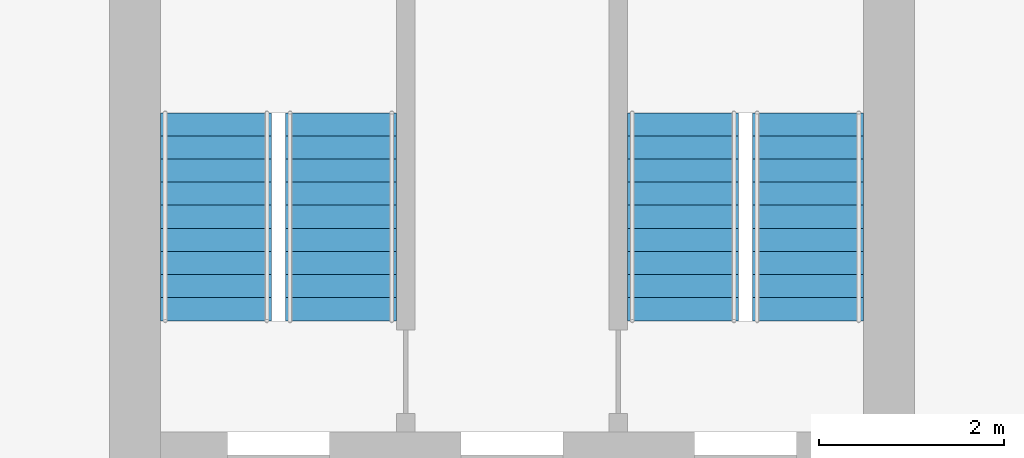
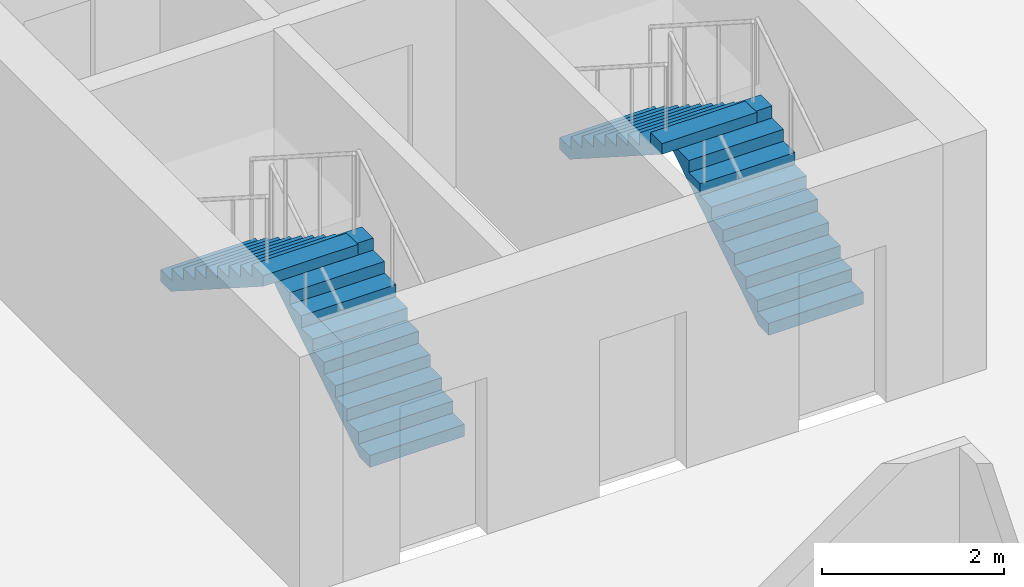
# One storey, part 10 of 13: 4 stair flights, 2 elements without a shape of their own.
"""IFC4 building model written with IfcOpenShell, lengths in metres."""

from ifc_helpers import new_model, si_unit, direction, frame, origin, place, context, subcontext, project, spatial, polyline, outline, extrude, material, type_object, element, aggregate, save


model = new_model("IFC4")

# Units and contexts
model_context = context("Model", 3, precision=1e-05, world=origin(), true_north=direction((0.0, 1.0)))
body_context = subcontext(model_context, "Body", "Model", "MODEL_VIEW")
ifc_project = project(units=[si_unit("LENGTHUNIT", "METRE"), si_unit("AREAUNIT", "SQUARE_METRE"), si_unit("VOLUMEUNIT", "CUBIC_METRE"), si_unit("PLANEANGLEUNIT", "RADIAN"), si_unit("MASSUNIT", "GRAM", prefix="KILO")], contexts=[model_context])

# Site, building, storey
site_placement = place(None, origin())
site = spatial("IfcSite", under=ifc_project, at=site_placement, CompositionType="ELEMENT")
building_placement = place(site_placement, origin())
building = spatial("IfcBuilding", under=site, at=building_placement, Name="Girih Gate Residences", CompositionType="ELEMENT")
storey_placement = place(building_placement, frame((0.0, 0.0, 105.60009765625)))
storey = spatial("IfcBuildingStorey", under=building, at=storey_placement, Name="L29", CompositionType="ELEMENT", Elevation=105.60009765625)

# Stair, stair flights
ifc_material = material(Name="Concrete C40/50", Category="concrete")
stair_type = type_object("IfcStairType", Name="Exit stair", PredefinedType="HALF_TURN_STAIR", material=ifc_material)
stair_1_placement = place(storey_placement, origin())
stair_1 = element("IfcStair", 1, at=stair_1_placement, inside=storey, type_object=stair_type, Name="L29 Exit Stair ST-E1", PredefinedType="HALF_TURN_STAIR")
stair_flight_type = type_object("IfcStairFlightType", Name="Stair flight 1200", PredefinedType="STRAIGHT", material=ifc_material)
stair_flight_1_placement = place(storey_placement, frame((43.699951171875, 28.89990234375, 0.0), z_axis=(0.0, 0.0, 1.0), x_axis=(0.0, 1.0, 0.0)))
stair_flight_1 = element("IfcStairFlight", 2, at=stair_flight_1_placement, type_object=stair_flight_type, Name="ST-E1 flight 1", NumberOfRisers=10, NumberOfTreads=9, PredefinedType="STRAIGHT", RiserHeight=0.16, TreadLength=0.25, context=body_context, shape_type="SweptSolid", body=[
    extrude(outline(polyline([(0.0, 0.0), (0.0, 0.159912109375), (0.25, 0.159912109375), (0.25, 0.320068359375), (0.5, 0.320068359375), (0.5, 0.47998046875), (0.75, 0.47998046875), (0.75, 0.639892578125), (1.0, 0.639892578125), (1.0, 0.800048828125), (1.25, 0.800048828125), (1.25, 0.9599609375), (1.5, 0.9599609375), (1.5, 1.1201171875), (1.75, 1.1201171875), (1.75, 1.280029296875), (2.0, 1.280029296875), (2.0, 1.43994140625), (2.25, 1.43994140625), (2.25, 1.60009765625), (2.25, 1.29736328125), (0.222900390625, 0.0), (0.0, 0.0)])), frame((0.0, 0.60009765625, 0.0), z_axis=(0.0, -1.0, 0.0), x_axis=(1.0, 0.0, 0.0)), (0.0, 0.0, 1.0), 1.199951171875),
])
stair_flight_2_placement = place(storey_placement, frame((42.35009765625, 31.14990234375, 1.599853515625), z_axis=(0.0, 0.0, 1.0), x_axis=(0.0, -1.0, 0.0)))
stair_flight_2 = element("IfcStairFlight", 3, at=stair_flight_2_placement, type_object=stair_flight_type, Name="ST-E1 flight 2", NumberOfRisers=10, NumberOfTreads=9, PredefinedType="STRAIGHT", RiserHeight=0.16, TreadLength=0.25, context=body_context, shape_type="SweptSolid", body=[
    extrude(outline(polyline([(0.0, 0.0), (0.0, 0.159912109375), (0.25, 0.159912109375), (0.25, 0.320068359375), (0.5, 0.320068359375), (0.5, 0.47998046875), (0.75, 0.47998046875), (0.75, 0.639892578125), (1.0, 0.639892578125), (1.0, 0.800048828125), (1.25, 0.800048828125), (1.25, 0.9599609375), (1.5, 0.9599609375), (1.5, 1.1201171875), (1.75, 1.1201171875), (1.75, 1.280029296875), (2.0, 1.280029296875), (2.0, 1.43994140625), (2.25, 1.43994140625), (2.25, 1.60009765625), (2.25, 1.29736328125), (0.222900390625, 0.0), (0.0, 0.0)])), frame((0.0, 0.60009765625, 0.0), z_axis=(0.0, -1.0, 0.0), x_axis=(1.0, 0.0, 0.0)), (0.0, 0.0, 1.0), 1.199951171875),
])
aggregate(stair_1, [stair_flight_1, stair_flight_2])

stair_2_placement = place(storey_placement, origin())
stair_2 = element("IfcStair", 4, at=stair_2_placement, inside=storey, type_object=stair_type, Name="L29 Exit Stair ST-E2", PredefinedType="HALF_TURN_STAIR")
stair_flight_3_placement = place(storey_placement, frame((38.64990234375, 28.89990234375, 0.0), z_axis=(0.0, 0.0, 1.0), x_axis=(0.0, 1.0, 0.0)))
stair_flight_3 = element("IfcStairFlight", 5, at=stair_flight_3_placement, type_object=stair_flight_type, Name="ST-E2 flight 1", NumberOfRisers=10, NumberOfTreads=9, PredefinedType="STRAIGHT", RiserHeight=0.16, TreadLength=0.25, context=body_context, shape_type="SweptSolid", body=[
    extrude(outline(polyline([(0.0, 0.0), (0.0, 0.159912109375), (0.25, 0.159912109375), (0.25, 0.320068359375), (0.5, 0.320068359375), (0.5, 0.47998046875), (0.75, 0.47998046875), (0.75, 0.639892578125), (1.0, 0.639892578125), (1.0, 0.800048828125), (1.25, 0.800048828125), (1.25, 0.9599609375), (1.5, 0.9599609375), (1.5, 1.1201171875), (1.75, 1.1201171875), (1.75, 1.280029296875), (2.0, 1.280029296875), (2.0, 1.43994140625), (2.25, 1.43994140625), (2.25, 1.60009765625), (2.25, 1.29736328125), (0.222900390625, 0.0), (0.0, 0.0)])), frame((0.0, 0.60009765625, 0.0), z_axis=(0.0, -1.0, 0.0), x_axis=(1.0, 0.0, 0.0)), (0.0, 0.0, 1.0), 1.199951171875),
])
stair_flight_4_placement = place(storey_placement, frame((37.300048828125, 31.14990234375, 1.599853515625), z_axis=(0.0, 0.0, 1.0), x_axis=(0.0, -1.0, 0.0)))
stair_flight_4 = element("IfcStairFlight", 6, at=stair_flight_4_placement, type_object=stair_flight_type, Name="ST-E2 flight 2", NumberOfRisers=10, NumberOfTreads=9, PredefinedType="STRAIGHT", RiserHeight=0.16, TreadLength=0.25, context=body_context, shape_type="SweptSolid", body=[
    extrude(outline(polyline([(0.0, 0.0), (0.0, 0.159912109375), (0.25, 0.159912109375), (0.25, 0.320068359375), (0.5, 0.320068359375), (0.5, 0.47998046875), (0.75, 0.47998046875), (0.75, 0.639892578125), (1.0, 0.639892578125), (1.0, 0.800048828125), (1.25, 0.800048828125), (1.25, 0.9599609375), (1.5, 0.9599609375), (1.5, 1.1201171875), (1.75, 1.1201171875), (1.75, 1.280029296875), (2.0, 1.280029296875), (2.0, 1.43994140625), (2.25, 1.43994140625), (2.25, 1.60009765625), (2.25, 1.29736328125), (0.222900390625, 0.0), (0.0, 0.0)])), frame((0.0, 0.60009765625, 0.0), z_axis=(0.0, -1.0, 0.0), x_axis=(1.0, 0.0, 0.0)), (0.0, 0.0, 1.0), 1.199951171875),
])
aggregate(stair_2, [stair_flight_3, stair_flight_4])

save(model, "model.ifc")
